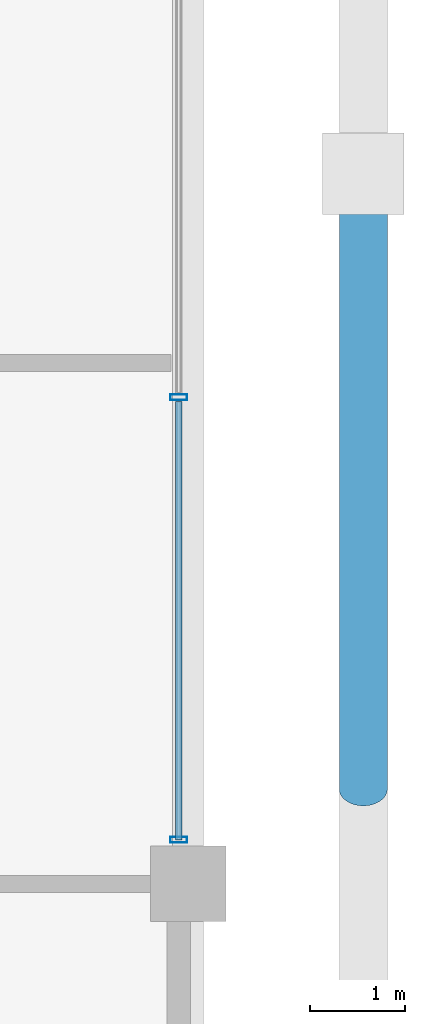
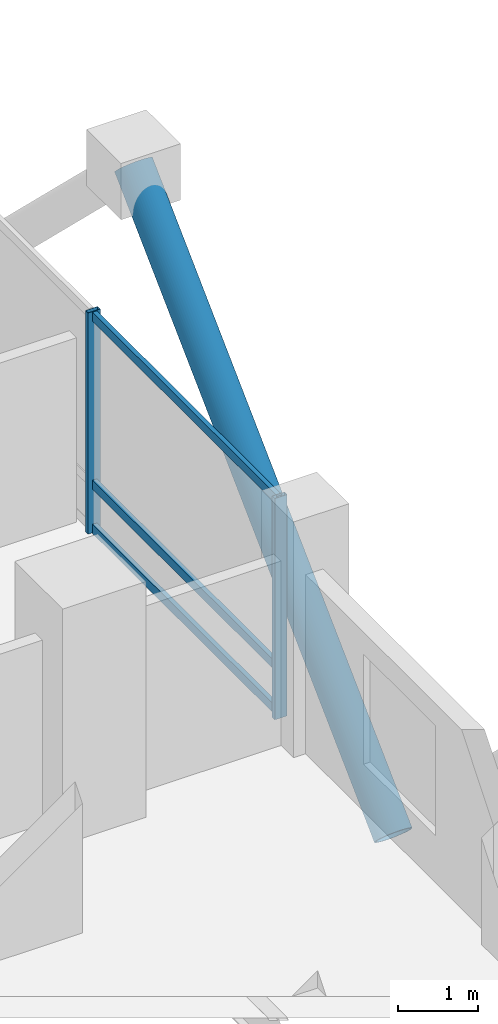
# One storey, part 8 of 22: 6 members, 1 element without a shape of its own.
"""IFC4 building model written with IfcOpenShell, lengths in metres."""

import ifcopenshell
import ifcopenshell.guid

model = None  # the IFC model being written
_history = None  # IfcOwnerHistory: only IFC2X3 demands one
_inside = {}  # id of a spatial element -> (the spatial element, [elements in it])
_under = {}  # id of a project, library or spatial element -> (it, [spatial elements below it])
_declared = {}  # id of a project -> (the project, [libraries it declares])
_typed = {}  # id of a type object -> (the type object, [elements of that type])
_made_of = {}  # id of a material, layer set ... -> (it, [elements and type objects made of it])


def new_model(schema):
    """Start an empty IFC model of exactly this schema.

    Asked for "IFC4X3", IfcOpenShell would pick the latest addendum, in which some entities
    have other attributes; the version numbers below select the first issue.
    IFC2X3 requires an IfcOwnerHistory on every rooted entity: one is made here for all.
    """
    global model, _history
    if schema == "IFC4X3":
        model = ifcopenshell.file(schema_version=(4, 3, 0, 0))
    else:
        model = ifcopenshell.file(schema=schema)
    _inside.clear()
    _under.clear()
    _declared.clear()
    _typed.clear()
    _made_of.clear()
    _history = None
    if model.schema == "IFC2X3":
        org = make("IfcOrganization", Name="unknown")
        user = make(
            "IfcPersonAndOrganization",
            ThePerson=make("IfcPerson", FamilyName="unknown"),
            TheOrganization=org,
        )
        app = make(
            "IfcApplication",
            ApplicationDeveloper=org,
            Version="unknown",
            ApplicationFullName="unknown",
            ApplicationIdentifier="unknown",
        )
        _history = make(
            "IfcOwnerHistory",
            OwningUser=user,
            OwningApplication=app,
            ChangeAction="ADDED",
            CreationDate=0,
        )
    return model


def make(cls, **values):
    """One entity of the class cls with the attributes given. An attribute that is None is left unset."""
    return model.create_entity(
        cls, **{name: value for name, value in values.items() if value is not None}
    )


def rooted(cls, **values):
    """An entity with a GlobalId (a new one), such as an element, a storey or a relation."""
    return make(cls, GlobalId=ifcopenshell.guid.new(), OwnerHistory=_history, **values)


def si_unit(unit_type, name, prefix=None):
    """IfcSIUnit, for example si_unit("LENGTHUNIT", "METRE", prefix="MILLI")."""
    return make("IfcSIUnit", UnitType=unit_type, Prefix=prefix, Name=name)


def assignment(units):
    """IfcUnitAssignment: the units of a project."""
    return None if units is None else make("IfcUnitAssignment", Units=units)


def point(xyz):
    """IfcCartesianPoint."""
    return None if xyz is None else make("IfcCartesianPoint", Coordinates=xyz)


def direction(xyz):
    """IfcDirection."""
    return None if xyz is None else make("IfcDirection", DirectionRatios=xyz)


def frame(location, z_axis=None, x_axis=None):
    """IfcAxis2Placement3D, a coordinate frame: its origin and axes. An axis left out is left unset."""
    return make(
        "IfcAxis2Placement3D",
        Location=point(location),
        Axis=direction(z_axis),
        RefDirection=direction(x_axis),
    )


def frame_2d(location, x_axis=None):
    """IfcAxis2Placement2D, a coordinate frame in the plane: its origin and x axis."""
    return make(
        "IfcAxis2Placement2D", Location=point(location), RefDirection=direction(x_axis)
    )


def origin():
    """The frame at (0, 0, 0) with its axes left unset."""
    return frame((0.0, 0.0, 0.0))


def origin_2d():
    """The frame at (0, 0) in the plane with its x axis left unset."""
    return frame_2d((0.0, 0.0))


def place(relative_to, where):
    """IfcLocalPlacement: puts the frame where relative to a parent placement (None: the world)."""
    return make(
        "IfcLocalPlacement", PlacementRelTo=relative_to, RelativePlacement=where
    )


def context(
    kind, dimensions, precision=None, world=None, true_north=None, identifier=None
):
    """IfcGeometricRepresentationContext, for example the 3D "Model" context."""
    return make(
        "IfcGeometricRepresentationContext",
        ContextIdentifier=identifier,
        ContextType=kind,
        CoordinateSpaceDimension=dimensions,
        Precision=precision,
        WorldCoordinateSystem=world,
        TrueNorth=true_north,
    )


def subcontext(parent, identifier, kind, view, scale=None):
    """IfcGeometricRepresentationSubContext, for example "Body" below "Model"."""
    return make(
        "IfcGeometricRepresentationSubContext",
        ContextIdentifier=identifier,
        ContextType=kind,
        ParentContext=parent,
        TargetScale=scale,
        TargetView=view,
    )


def project(units=None, contexts=None):
    """IfcProject with its units and contexts."""
    return rooted(
        "IfcProject",
        Name="project",
        RepresentationContexts=contexts,
        UnitsInContext=assignment(units),
    )


def spatial(cls, under=None, at=None, **own):
    """A site, building, storey or space (cls), placed at a placement, below another one or the project."""
    s = rooted(cls, ObjectPlacement=at, **own)
    if under is not None:
        _under.setdefault(under.id(), (under, []))[1].append(s)
    return s


def profile(cls, at=None, kind="AREA", **sizes):
    """A parametric profile (cls). Its sizes go by their IFC names, for example OverallWidth=200.0."""
    return make(cls, ProfileType=kind, Position=at, **sizes)


def hollow_rectangle(**sizes):
    """IfcRectangleHollowProfileDef."""
    return profile("IfcRectangleHollowProfileDef", **sizes)


def hollow_circle(**sizes):
    """IfcCircleHollowProfileDef."""
    return profile("IfcCircleHollowProfileDef", **sizes)


def extrude(swept, where, along, depth):
    """IfcExtrudedAreaSolid: the profile swept, set in the frame where, extruded along a direction by depth."""
    return make(
        "IfcExtrudedAreaSolid",
        SweptArea=swept,
        Position=where,
        ExtrudedDirection=direction(along),
        Depth=depth,
    )


def shape(context_of_items, identifier, shape_type, items):
    """IfcShapeRepresentation: the items that make up one representation, for example the "Body"."""
    return make(
        "IfcShapeRepresentation",
        ContextOfItems=context_of_items,
        RepresentationIdentifier=identifier,
        RepresentationType=shape_type,
        Items=items,
    )


def material(Name=None, Category=None):
    """IfcMaterial."""
    return make("IfcMaterial", Name=Name, Category=Category)


def layer(
    of_material, thickness, ventilated=None, Name=None, Category=None, Priority=None
):
    """IfcMaterialLayer: one layer of a wall or slab, of a material (None: an air gap)."""
    return make(
        "IfcMaterialLayer",
        Material=of_material,
        LayerThickness=thickness,
        IsVentilated=ventilated,
        Name=Name,
        Category=Category,
        Priority=Priority,
    )


def layer_set(layers, Name=None):
    """IfcMaterialLayerSet."""
    return make("IfcMaterialLayerSet", MaterialLayers=layers, LayerSetName=Name)


def material_profile(
    of_material, cross_section, Name=None, Category=None, Priority=None
):
    """IfcMaterialProfile: a cross section and its material."""
    return make(
        "IfcMaterialProfile",
        Name=Name,
        Material=of_material,
        Profile=cross_section,
        Priority=Priority,
        Category=Category,
    )


def profile_set(profiles, Name=None, composite=None):
    """IfcMaterialProfileSet."""
    return make(
        "IfcMaterialProfileSet",
        Name=Name,
        MaterialProfiles=profiles,
        CompositeProfile=composite,
    )


def made_of(thing, what):
    """Note that an element or type object is made of a material, layer set ...; save() writes the relation."""
    if what is not None:
        _made_of.setdefault(what.id(), (what, []))[1].append(thing)
    return thing


def type_object(cls, material=None, **own):
    """A type object (cls), such as IfcWallType, which elements share."""
    return made_of(rooted(cls, **own), material)


def element(
    cls,
    number,
    at=None,
    inside=None,
    cuts=None,
    type_object=None,
    material=None,
    context=None,
    identifier="Body",
    shape_type=None,
    held_by="IfcProductDefinitionShape",
    body=None,
    shapes=None,
    **own,
):
    """One element of the class cls, such as IfcWall. Its Tag is "e" and its number.

    at: its placement. inside: the storey or other place that contains it. cuts: it is an
    opening in that element (IfcRelVoidsElement). A single representation is given by context,
    identifier, shape_type and body (its items); several are given by shapes. held_by: the class
    of the entity that holds the representations. save() writes the other relations.
    """
    e = rooted(cls, Tag="e%d" % number, ObjectPlacement=at, **own)
    if body is not None:
        shapes = [shape(context, identifier, shape_type, body)]
    if shapes is not None:
        e.Representation = make(held_by, Representations=shapes)
    if inside is not None:
        _inside.setdefault(inside.id(), (inside, []))[1].append(e)
    if cuts is not None:
        rooted(
            "IfcRelVoidsElement", RelatingBuildingElement=cuts, RelatedOpeningElement=e
        )
    if type_object is not None:
        _typed.setdefault(type_object.id(), (type_object, []))[1].append(e)
    return made_of(e, material)


def aggregate(whole, parts):
    """IfcRelAggregates: a whole, such as a stair, and the parts it consists of."""
    return rooted("IfcRelAggregates", RelatingObject=whole, RelatedObjects=parts)


def save(model, path):
    """Write the relations noted so far, then the file.

    IfcRelAggregates (storeys below a building ...), IfcRelContainedInSpatialStructure (elements
    in a storey), IfcRelDefinesByType, IfcRelAssociatesMaterial and IfcRelDeclares: one each for
    every whole, place, type object, material and project.
    """
    for whole, parts in _under.values():
        aggregate(whole, parts)
    for where, things in _inside.values():
        rooted(
            "IfcRelContainedInSpatialStructure",
            RelatedElements=things,
            RelatingStructure=where,
        )
    for kind, things in _typed.values():
        rooted("IfcRelDefinesByType", RelatedObjects=things, RelatingType=kind)
    for what, things in _made_of.values():
        rooted("IfcRelAssociatesMaterial", RelatedObjects=things, RelatingMaterial=what)
    for by, libraries in _declared.values():
        rooted("IfcRelDeclares", RelatingContext=by, RelatedDefinitions=libraries)
    model.write(path)


model = new_model("IFC4")

# Units and contexts
model_context = context("Model", 3, precision=1e-05, world=origin(), true_north=direction((0.0, 1.0)))
body_context = subcontext(model_context, "Body", "Model", "MODEL_VIEW")
ifc_project = project(units=[si_unit("LENGTHUNIT", "METRE"), si_unit("AREAUNIT", "SQUARE_METRE"), si_unit("VOLUMEUNIT", "CUBIC_METRE"), si_unit("PLANEANGLEUNIT", "RADIAN"), si_unit("MASSUNIT", "GRAM", prefix="KILO")], contexts=[model_context])

# Site, building, storey
site_placement = place(None, origin())
site = spatial("IfcSite", under=ifc_project, at=site_placement, CompositionType="ELEMENT")
building_placement = place(site_placement, origin())
building = spatial("IfcBuilding", under=site, at=building_placement, Name="Barlavira Tower and Art Museum", CompositionType="ELEMENT")
storey_placement = place(building_placement, frame((0.0, 0.0, 129.60009765625)))
storey = spatial("IfcBuildingStorey", under=building, at=storey_placement, Name="L32", CompositionType="ELEMENT", Elevation=129.60009765625)

# Curtain wall, members
ifc_material_1 = material(Name="Low-iron coastal laminated glass", Category="glass")
ifc_layer = layer(ifc_material_1, 0.18994140625, Name="Low-iron coastal laminated glass")
ifc_layer_set = layer_set([ifc_layer], Name="Low-iron coastal laminated glass")
curtain_wall_type = type_object("IfcCurtainWallType", Name="Pale-Metal Unitised Curtain Wall Zone 2", PredefinedType="NOTDEFINED", material=ifc_layer_set)
curtain_wall_placement = place(storey_placement, origin())
curtain_wall = element("IfcCurtainWall", 1, at=curtain_wall_placement, inside=storey, type_object=curtain_wall_type, Name="L32 Curtain Wall CW2-L32-E-B3", PredefinedType="NOTDEFINED")
ifc_material_2 = material(Name="Pale anodised aluminium", Category="aluminium")
ifc_material_profile_1 = material_profile(ifc_material_2, hollow_rectangle(XDim=0.06494140625, YDim=0.179931640625, WallThickness=0.00390625, at=origin_2d()), Name="ALU-MULL 65x180x4")
ifc_profile_set_1 = profile_set([ifc_material_profile_1], Name="Pale anodised aluminium")
member_type_1 = type_object("IfcMemberType", Name="Curtain Wall Pale-Metal Mullion 65x180", PredefinedType="MULLION", material=ifc_profile_set_1)
member_1_placement = place(storey_placement, frame((20.14990234375, -7.034912109375, 0.0), z_axis=(0.0, 0.0, 1.0), x_axis=(0.0, 1.0, 0.0)))
member_1 = element("IfcMember", 2, at=member_1_placement, type_object=member_type_1, Name="CW2-L32-E-B3 Mullion 0", PredefinedType="MULLION", context=body_context, shape_type="SweptSolid", body=[
    extrude(hollow_rectangle(XDim=0.06494140625, YDim=0.179931640625, WallThickness=0.00390625, at=origin_2d()), origin(), (0.0, 0.0, 1.0), 3.3798828125),
])
member_2_placement = place(storey_placement, frame((20.14990234375, -2.360107421875, 0.0), z_axis=(0.0, 0.0, 1.0), x_axis=(0.0, 1.0, 0.0)))
member_2 = element("IfcMember", 3, at=member_2_placement, type_object=member_type_1, Name="CW2-L32-E-B3 Mullion 1", PredefinedType="MULLION", context=body_context, shape_type="SweptSolid", body=[
    extrude(hollow_rectangle(XDim=0.06494140625, YDim=0.179931640625, WallThickness=0.00390625, at=origin_2d()), origin(), (0.0, 0.0, 1.0), 3.3798828125),
])
ifc_material_profile_2 = material_profile(ifc_material_2, hollow_rectangle(XDim=0.06494140625, YDim=0.139892578125, WallThickness=0.00390625, at=origin_2d()), Name="ALU-TRAN 65x140x4")
ifc_profile_set_2 = profile_set([ifc_material_profile_2], Name="Pale anodised aluminium")
member_type_2 = type_object("IfcMemberType", Name="Curtain Wall Pale-Metal Transom 65x140", PredefinedType="USERDEFINED", material=ifc_profile_set_2)
member_3_placement = place(storey_placement, frame((20.14990234375, -7.034912109375, 0.06982421875), z_axis=(0.0, 1.0, 0.0), x_axis=(-1.0, 0.0, 0.0)))
member_3 = element("IfcMember", 4, at=member_3_placement, type_object=member_type_2, Name="CW2-L32-E-B3 Transom 0.1", ObjectType="TRANSOM", PredefinedType="USERDEFINED", context=body_context, shape_type="SweptSolid", body=[
    extrude(hollow_rectangle(XDim=0.06494140625, YDim=0.139892578125, WallThickness=0.00390625, at=origin_2d()), origin(), (0.0, 0.0, 1.0), 4.6298828125),
])
member_4_placement = place(storey_placement, frame((20.14990234375, -7.034912109375, 0.743896484375), z_axis=(0.0, 1.0, 0.0), x_axis=(-1.0, 0.0, 0.0)))
member_4 = element("IfcMember", 5, at=member_4_placement, type_object=member_type_2, Name="CW2-L32-E-B3 Transom 0.2", ObjectType="TRANSOM", PredefinedType="USERDEFINED", context=body_context, shape_type="SweptSolid", body=[
    extrude(hollow_rectangle(XDim=0.06494140625, YDim=0.139892578125, WallThickness=0.00390625, at=origin_2d()), origin(), (0.0, 0.0, 1.0), 4.6298828125),
])
member_5_placement = place(storey_placement, frame((20.14990234375, -7.034912109375, 3.309814453125), z_axis=(0.0, 1.0, 0.0), x_axis=(-1.0, 0.0, 0.0)))
member_5 = element("IfcMember", 6, at=member_5_placement, type_object=member_type_2, Name="CW2-L32-E-B3 Transom 0.3", ObjectType="TRANSOM", PredefinedType="USERDEFINED", context=body_context, shape_type="SweptSolid", body=[
    extrude(hollow_rectangle(XDim=0.06494140625, YDim=0.139892578125, WallThickness=0.00390625, at=origin_2d()), origin(), (0.0, 0.0, 1.0), 4.6298828125),
])
aggregate(curtain_wall, [member_1, member_2, member_3, member_4, member_5])

# Member
ifc_material_3 = material(Name="Steel S355", Category="steel")
ifc_material_profile_3 = material_profile(ifc_material_3, hollow_circle(Radius=0.25390625, WallThickness=0.022216796875, at=origin_2d()), Name="CHS 508.0x22.2")
ifc_profile_set_3 = profile_set([ifc_material_profile_3], Name="Steel S355")
member_type_3 = type_object("IfcMemberType", Name="Pale-Metal Exoskeleton Diagrid Tube CHS 508x22 Steel S355", PredefinedType="BRACE", material=ifc_profile_set_3)
member_6_placement = place(storey_placement, frame((22.10009765625, -6.5, -2.820068359375), z_axis=(0.0, 0.718064979499, 0.695976066555), x_axis=(-1.0, 0.0, 0.0)))
element("IfcMember", 7, at=member_6_placement, inside=storey, type_object=member_type_3, Name="L32 Exoskeleton Diagrid Tube E", PredefinedType="BRACE", context=body_context, shape_type="SweptSolid", body=[
    extrude(hollow_circle(Radius=0.25390625, WallThickness=0.022216796875, at=origin_2d()), origin(), (0.0, 0.0, 1.0), 9.052001953125),
])

save(model, "model.ifc")
